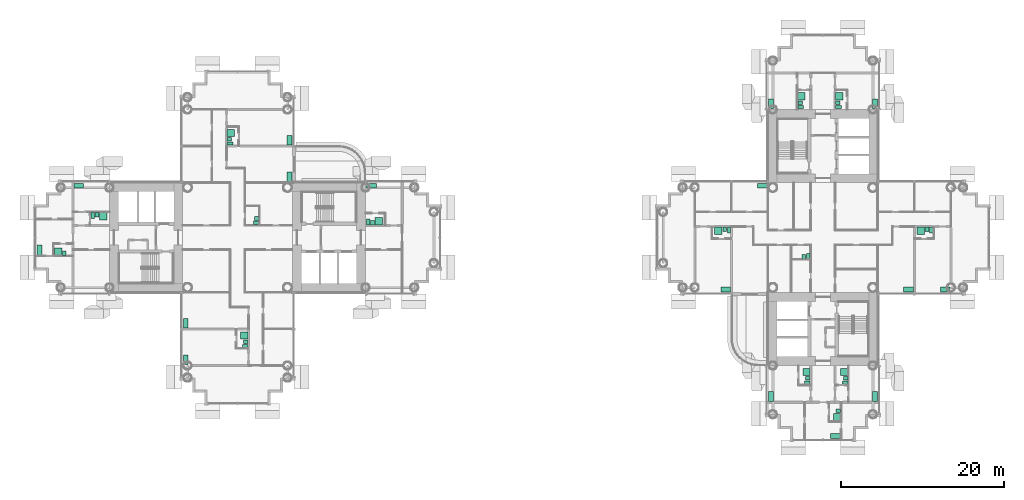
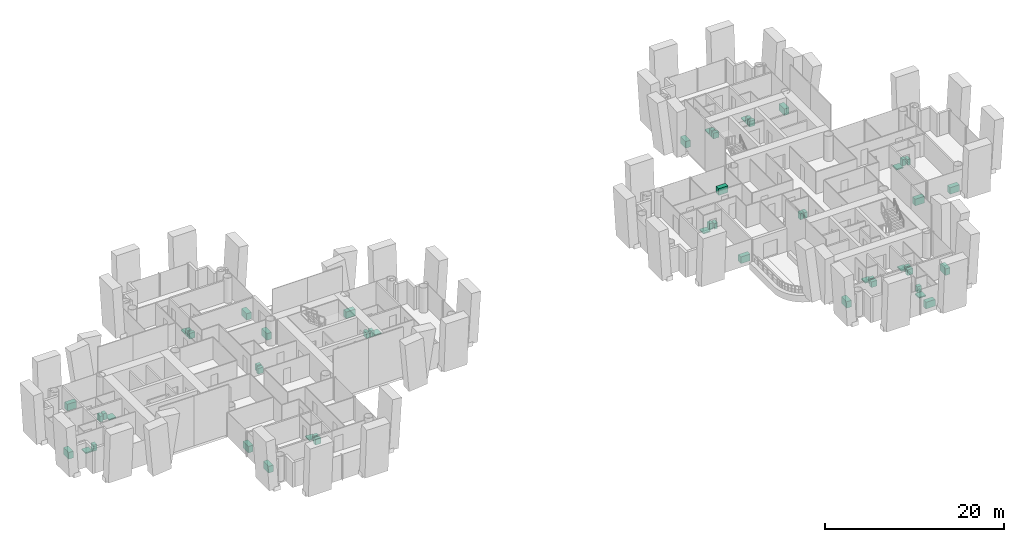
# One storey, part 23 of 23: 54 sanitary terminals.
"""IFC4 building model written with IfcOpenShell, lengths in metres."""

from ifc_helpers import new_model, si_unit, direction, frame, origin, origin_2d, place, context, subcontext, project, spatial, rectangle, extrude, material, type_object, element, save


model = new_model("IFC4")

# Units and contexts
model_context = context("Model", 3, precision=1e-05, world=origin(), true_north=direction((0.0, 1.0)))
body_context = subcontext(model_context, "Body", "Model", "MODEL_VIEW")
ifc_project = project(units=[si_unit("LENGTHUNIT", "METRE"), si_unit("AREAUNIT", "SQUARE_METRE"), si_unit("VOLUMEUNIT", "CUBIC_METRE"), si_unit("PLANEANGLEUNIT", "RADIAN"), si_unit("MASSUNIT", "GRAM", prefix="KILO")], contexts=[model_context])

# Site, building, storey
site_placement = place(None, origin())
site = spatial("IfcSite", under=ifc_project, at=site_placement, CompositionType="ELEMENT")
building_placement = place(site_placement, origin())
building = spatial("IfcBuilding", under=site, at=building_placement, Name="Ipe Terrace Towers", CompositionType="ELEMENT")
storey_placement = place(building_placement, frame((0.0, 0.0, 51.699951171875)))
storey = spatial("IfcBuildingStorey", under=building, at=storey_placement, Name="L13", CompositionType="ELEMENT", Elevation=51.699951171875)

# Sanitary terminals
ifc_material_1 = material(Name="Stainless sink unit", Category="metal")
sanitary_terminal_type_1 = type_object("IfcSanitaryTerminalType", Name="Kitchen sink unit", PredefinedType="SINK", material=ifc_material_1)
for number, where, z_axis, x_axis, name in (
    (1, (-29.6201171875, 7.469970703125, 0.0), (0.0, 0.0, 1.0), (0.0, -1.0, 0.0), "Kitchen sink unit"),
    (2, (-29.6201171875, 11.969970703125, 0.0), (0.0, 0.0, 1.0), (0.0, -1.0, 0.0), "Kitchen sink unit"),
    (3, (-42.3798828125, -10.530029296875, 0.0), (0.0, 0.0, 1.0), (0.0, 1.0, 0.0), "Kitchen sink unit"),
    (4, (-42.3798828125, -15.030029296875, 0.0), (0.0, 0.0, 1.0), (0.0, 1.0, 0.0), "Kitchen sink unit"),
    (5, (-19.530029296875, 6.3798828125, 0.0), (0.0, 0.0, 1.0), (1.0, 0.0, 0.0), "Kitchen sink unit"),
    (6, (-55.530029296875, 6.3798828125, 0.0), (0.0, 0.0, 1.0), (1.0, 0.0, 0.0), "Kitchen sink unit"),
    (7, (-60.3798828125, -1.530029296875, 0.0), (0.0, 0.0, 1.0), (0.0, 1.0, 0.0), "Kitchen sink unit"),
    (8, (24.030029296875, -6.3798828125, 0.0), (0.0, 0.0, 1.0), (-1.0, 0.0, 0.0), "Kitchen sink unit"),
    (9, (28.530029296875, 6.3798828125, 0.0), (0.0, 0.0, 1.0), (1.0, 0.0, 0.0), "Kitchen sink unit"),
    (10, (46.530029296875, -6.3798828125, 0.0), (0.0, 0.0, 1.0), (-1.0, 0.0, 0.0), "Kitchen sink unit"),
    (11, (51.030029296875, -6.3798828125, 0.0), (0.0, 0.0, 1.0), (-1.0, 0.0, 0.0), "Kitchen sink unit"),
    (12, (29.6201171875, 16.469970703125, 0.0), (0.0, 0.0, 1.0), (0.0, 1.0, 0.0), "Kitchen sink unit"),
    (13, (42.3798828125, 16.469970703125, 0.0), (0.0, 0.0, 1.0), (0.0, -1.0, 0.0), "Kitchen sink unit"),
    (14, (42.3798828125, -19.530029296875, 0.0), (0.0, 0.0, 1.0), (0.0, -1.0, 0.0), "Kitchen sink unit"),
    (15, (29.6201171875, -19.530029296875, 0.0), (0.0, 0.0, 1.0), (0.0, 1.0, 0.0), "Kitchen sink unit"),
    (16, (37.530029296875, -24.3798828125, 0.0), (0.0, 0.0, 1.0), (-1.0, 0.0, 0.0), "Kitchen sink unit"),
):
    element("IfcSanitaryTerminal", number, at=place(storey_placement, frame(where, z_axis=z_axis, x_axis=x_axis)), inside=storey, type_object=sanitary_terminal_type_1, Name=name, PredefinedType="SINK", context=body_context, shape_type="SweptSolid", body=[
        extrude(rectangle(XDim=1.199951171875, YDim=0.60009765625, at=origin_2d()), origin(), (0.0, 0.0, 1.0), 0.89990234375),
    ])
ifc_material_2 = material(Name="Acrylic", Category="plastic")
sanitary_terminal_type_2 = type_object("IfcSanitaryTerminalType", Name="Shower tray", PredefinedType="SHOWER", material=ifc_material_2)
for number, where, z_axis, x_axis, name in (
    (17, (-36.830078125, 12.8701171875, 0.0), (0.0, 0.0, 1.0), (1.0, 0.0, 0.0), "Shower tray"),
    (18, (-35.169921875, -12.030029296875, 0.0), (0.0, 0.0, 1.0), (-1.0, 0.0, 0.0), "Shower tray"),
    (19, (-18.6298828125, 2.02001953125, 0.0), (0.0, 0.0, 1.0), (0.0, 1.0, 0.0), "Shower tray"),
    (20, (-52.530029296875, 2.6298828125, 0.0), (0.0, 0.0, 1.0), (0.0, -1.0, 0.0), "Shower tray"),
    (21, (-58.080078125, -1.72998046875, 0.0), (0.0, 0.0, 1.0), (0.0, 1.0, 0.0), "Shower tray"),
    (22, (23.1298828125, 0.830078125, 0.0), (0.0, 0.0, 1.0), (0.0, -1.0, 0.0), "Shower tray"),
    (23, (48.030029296875, 0.830078125, 0.0), (0.0, 0.0, 1.0), (0.0, -1.0, 0.0), "Shower tray"),
    (24, (33.3701171875, 17.3701171875, 0.0), (0.0, 0.0, 1.0), (1.0, 0.0, 0.0), "Shower tray"),
    (25, (38.02001953125, 17.3701171875, 0.0), (0.0, 0.0, 1.0), (1.0, 0.0, 0.0), "Shower tray"),
    (26, (38.6298828125, -16.530029296875, 0.0), (0.0, 0.0, 1.0), (-1.0, 0.0, 0.0), "Shower tray"),
    (27, (33.97998046875, -16.530029296875, 0.0), (0.0, 0.0, 1.0), (-1.0, 0.0, 0.0), "Shower tray"),
    (28, (37.72998046875, -22.080078125, 0.0), (0.0, 0.0, 1.0), (-1.0, 0.0, 0.0), "Shower tray"),
):
    element("IfcSanitaryTerminal", number, at=place(storey_placement, frame(where, z_axis=z_axis, x_axis=x_axis)), inside=storey, type_object=sanitary_terminal_type_2, Name=name, PredefinedType="SHOWER", context=body_context, shape_type="SweptSolid", body=[
        extrude(rectangle(XDim=0.89990234375, YDim=0.89990234375, at=origin_2d()), origin(), (0.0, 0.0, 1.0), 0.14990234375),
    ])
ifc_material_3 = material(Name="Vitreous china", Category="ceramic")
sanitary_terminal_type_3 = type_object("IfcSanitaryTerminalType", Name="Wash basin", PredefinedType="WASHHANDBASIN", material=ifc_material_3)
for number, where, z_axis, x_axis, name in (
    (29, (-33.64501953125, 2.344970703125, 0.0), (0.0, 0.0, 1.0), (-1.0, 0.0, 0.0), "Wash basin"),
    (30, (-37.0048828125, 12.094970703125, 0.0), (0.0, 0.0, 1.0), (1.0, 0.0, 0.0), "Wash basin"),
    (31, (-34.9951171875, -12.804931640625, 0.0), (0.0, 0.0, 1.0), (-1.0, 0.0, 0.0), "Wash basin"),
    (32, (-19.405029296875, 1.844970703125, 0.0), (0.0, 0.0, 1.0), (0.0, 1.0, 0.0), "Wash basin"),
    (33, (-53.304931640625, 2.804931640625, 0.0), (0.0, 0.0, 1.0), (0.0, -1.0, 0.0), "Wash basin"),
    (34, (-57.304931640625, -1.905029296875, 0.0), (0.0, 0.0, 1.0), (0.0, 1.0, 0.0), "Wash basin"),
    (35, (33.655029296875, -2.35498046875, 0.0), (0.0, 0.0, 1.0), (0.0, 1.0, 0.0), "Wash basin"),
    (36, (23.905029296875, 1.0048828125, 0.0), (0.0, 0.0, 1.0), (0.0, -1.0, 0.0), "Wash basin"),
    (37, (48.804931640625, 1.0048828125, 0.0), (0.0, 0.0, 1.0), (0.0, -1.0, 0.0), "Wash basin"),
    (38, (33.195068359375, 16.594970703125, 0.0), (0.0, 0.0, 1.0), (1.0, 0.0, 0.0), "Wash basin"),
    (39, (37.844970703125, 16.594970703125, 0.0), (0.0, 0.0, 1.0), (1.0, 0.0, 0.0), "Wash basin"),
    (40, (38.804931640625, -17.304931640625, 0.0), (0.0, 0.0, 1.0), (-1.0, 0.0, 0.0), "Wash basin"),
    (41, (34.155029296875, -17.304931640625, 0.0), (0.0, 0.0, 1.0), (-1.0, 0.0, 0.0), "Wash basin"),
    (42, (37.905029296875, -21.304931640625, 0.0), (0.0, 0.0, 1.0), (-1.0, 0.0, 0.0), "Wash basin"),
):
    element("IfcSanitaryTerminal", number, at=place(storey_placement, frame(where, z_axis=z_axis, x_axis=x_axis)), inside=storey, type_object=sanitary_terminal_type_3, Name=name, PredefinedType="WASHHANDBASIN", context=body_context, shape_type="SweptSolid", body=[
        extrude(rectangle(XDim=0.550048828125, YDim=0.449951171875, at=origin_2d()), origin(), (0.0, 0.0, 1.0), 0.85009765625),
    ])
ifc_material_4 = material(Name="Vitreous china", Category="ceramic")
sanitary_terminal_type_4 = type_object("IfcSanitaryTerminalType", Name="Water closet", PredefinedType="TOILETPAN", material=ifc_material_4)
for number, where, z_axis, x_axis, name in (
    (43, (-33.719970703125, 1.820068359375, 0.0), (0.0, 0.0, 1.0), (-1.0, 0.0, 0.0), "Water closet"),
    (44, (-36.929931640625, 11.570068359375, 0.0), (0.0, 0.0, 1.0), (1.0, 0.0, 0.0), "Water closet"),
    (45, (-35.070068359375, -13.330078125, 0.0), (0.0, 0.0, 1.0), (-1.0, 0.0, 0.0), "Water closet"),
    (46, (-19.929931640625, 1.919921875, 0.0), (0.0, 0.0, 1.0), (0.0, 1.0, 0.0), "Water closet"),
    (47, (-53.830078125, 2.72998046875, 0.0), (0.0, 0.0, 1.0), (0.0, -1.0, 0.0), "Water closet"),
    (48, (34.179931640625, -2.280029296875, 0.0), (0.0, 0.0, 1.0), (0.0, 1.0, 0.0), "Water closet"),
    (49, (24.429931640625, 0.929931640625, 0.0), (0.0, 0.0, 1.0), (0.0, -1.0, 0.0), "Water closet"),
    (50, (49.330078125, 0.929931640625, 0.0), (0.0, 0.0, 1.0), (0.0, -1.0, 0.0), "Water closet"),
    (51, (33.27001953125, 16.070068359375, 0.0), (0.0, 0.0, 1.0), (1.0, 0.0, 0.0), "Water closet"),
    (52, (37.919921875, 16.070068359375, 0.0), (0.0, 0.0, 1.0), (1.0, 0.0, 0.0), "Water closet"),
    (53, (38.72998046875, -17.830078125, 0.0), (0.0, 0.0, 1.0), (-1.0, 0.0, 0.0), "Water closet"),
    (54, (34.080078125, -17.830078125, 0.0), (0.0, 0.0, 1.0), (-1.0, 0.0, 0.0), "Water closet"),
):
    element("IfcSanitaryTerminal", number, at=place(storey_placement, frame(where, z_axis=z_axis, x_axis=x_axis)), inside=storey, type_object=sanitary_terminal_type_4, Name=name, PredefinedType="TOILETPAN", context=body_context, shape_type="SweptSolid", body=[
        extrude(rectangle(XDim=0.699951171875, YDim=0.39990234375, at=origin_2d()), origin(), (0.0, 0.0, 1.0), 0.780029296875),
    ])

save(model, "model.ifc")
